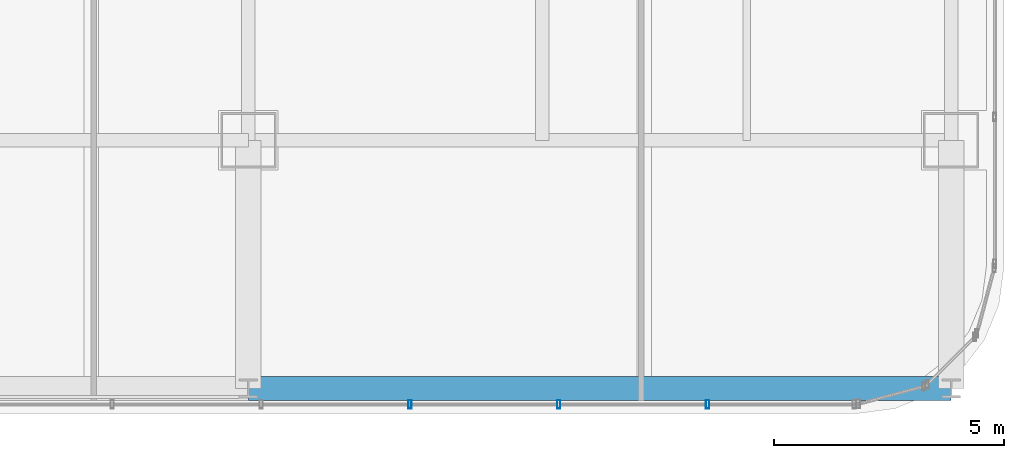
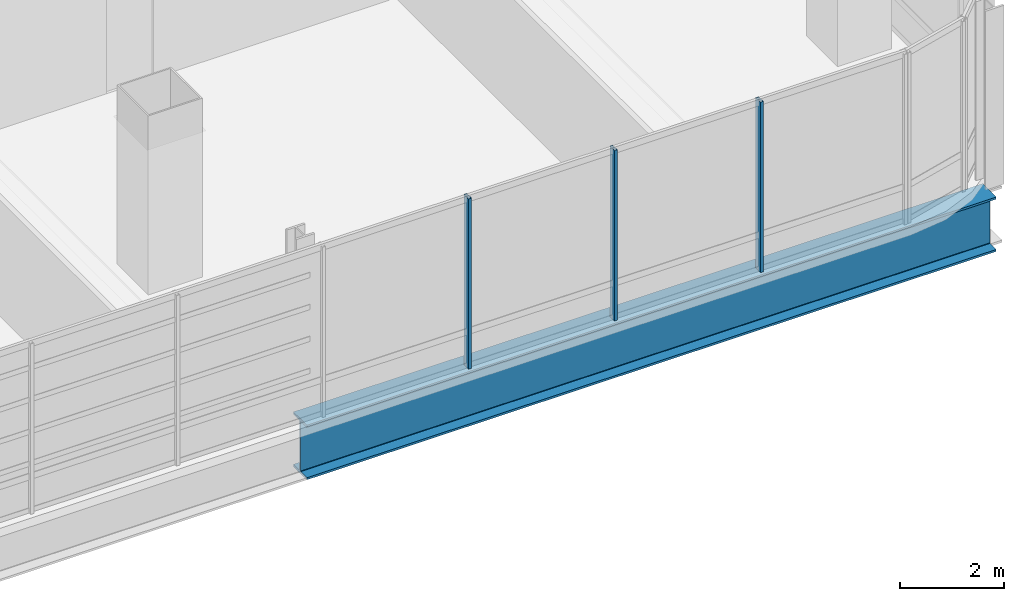
# One storey, part 16 of 43: 3 members, 1 beam, 1 element without a shape of its own.
"""IFC4 building model written with IfcOpenShell, lengths in metres."""

from ifc_helpers import new_model, si_unit, direction, frame, origin, origin_2d, place, context, subcontext, project, spatial, hollow_rectangle, i_section, extrude, material, material_profile, profile_set, type_object, element, aggregate, save


model = new_model("IFC4")

# Units and contexts
model_context = context("Model", 3, precision=1e-05, world=origin(), true_north=direction((0.0, 1.0)))
body_context = subcontext(model_context, "Body", "Model", "MODEL_VIEW")
ifc_project = project(units=[si_unit("LENGTHUNIT", "METRE"), si_unit("AREAUNIT", "SQUARE_METRE"), si_unit("VOLUMEUNIT", "CUBIC_METRE"), si_unit("PLANEANGLEUNIT", "RADIAN"), si_unit("MASSUNIT", "GRAM", prefix="KILO")], contexts=[model_context])

# Site, building, storey
site_placement = place(None, origin())
site = spatial("IfcSite", under=ifc_project, at=site_placement, CompositionType="ELEMENT")
building_placement = place(site_placement, origin())
building = spatial("IfcBuilding", under=site, at=building_placement, Name="Punatoya Terracotta Tower", CompositionType="ELEMENT")
storey_placement = place(building_placement, frame((0.0, 0.0, 321.60009765625)))
storey = spatial("IfcBuildingStorey", under=building, at=storey_placement, Name="L76", CompositionType="ELEMENT", Elevation=321.60009765625)

# Beam
ifc_material_1 = material(Name="Steel S460", Category="steel")
ifc_material_profile_1 = material_profile(ifc_material_1, i_section(OverallWidth=0.52001953125, OverallDepth=1.280029296875, WebThickness=0.031982421875, FlangeThickness=0.050048828125, FilletRadius=0.01806640625, at=origin_2d()))
ifc_profile_set_1 = profile_set([ifc_material_profile_1], Name="Steel S460")
beam_type = type_object("IfcBeamType", Name="BM-TG-NCK", PredefinedType="BEAM", material=ifc_profile_set_1)
beam_placement = place(storey_placement, frame((3.800048828125, -22.89990234375, -0.840087890625), z_axis=(1.0, 0.0, 0.0), x_axis=(0.0, 1.0, 0.0)))
element("IfcBeam", 1, at=beam_placement, inside=storey, type_object=beam_type, Name="BM-L76-PER-S3", PredefinedType="BEAM", context=body_context, shape_type="SweptSolid", body=[
    extrude(i_section(OverallWidth=0.52001953125, OverallDepth=1.280029296875, WebThickness=0.031982421875, FlangeThickness=0.050048828125, FilletRadius=0.01806640625, at=origin_2d()), origin(), (0.0, 0.0, 1.0), 15.300048828125),
])

# Curtain wall, members
ifc_material_2 = material(Name="Aluminium 6063-T6 + Double Low-E Glass", Category="aluminium")
curtain_wall_type = type_object("IfcCurtainWallType", Name="CW-OBS", PredefinedType="NOTDEFINED", material=ifc_material_2)
curtain_wall_placement = place(storey_placement, origin())
curtain_wall = element("IfcCurtainWall", 2, at=curtain_wall_placement, inside=storey, type_object=curtain_wall_type, Name="L76 Curtain Wall CW-L76-S01-1", PredefinedType="NOTDEFINED")
ifc_material_3 = material(Name="Aluminium 6063-T6", Category="aluminium")
ifc_material_profile_2 = material_profile(ifc_material_3, hollow_rectangle(XDim=0.070068359375, YDim=0.179931640625, WallThickness=0.00390625, at=origin_2d()))
ifc_profile_set_2 = profile_set([ifc_material_profile_2], Name="Aluminium 6063-T6")
member_type = type_object("IfcMemberType", Name="CW-MUL-M3", PredefinedType="MULLION", material=ifc_profile_set_2)
member_1_placement = place(storey_placement, frame((7.318359375, -23.25, 0.0), z_axis=(0.0, 0.0, 1.0), x_axis=(1.0, 0.0, 0.0)))
member_1 = element("IfcMember", 3, at=member_1_placement, type_object=member_type, Name="CW-L76-S01-1 Mullion 09", PredefinedType="MULLION", context=body_context, shape_type="SweptSolid", body=[
    extrude(hollow_rectangle(XDim=0.070068359375, YDim=0.179931640625, WallThickness=0.00390625, at=origin_2d()), origin(), (0.0, 0.0, 1.0), 4.0),
])
member_2_placement = place(storey_placement, frame((10.557861328125, -23.25, 0.0), z_axis=(0.0, 0.0, 1.0), x_axis=(1.0, 0.0, 0.0)))
member_2 = element("IfcMember", 4, at=member_2_placement, type_object=member_type, Name="CW-L76-S01-1 Mullion 10", PredefinedType="MULLION", context=body_context, shape_type="SweptSolid", body=[
    extrude(hollow_rectangle(XDim=0.070068359375, YDim=0.179931640625, WallThickness=0.00390625, at=origin_2d()), origin(), (0.0, 0.0, 1.0), 4.0),
])
member_3_placement = place(storey_placement, frame((13.79736328125, -23.25, 0.0), z_axis=(0.0, 0.0, 1.0), x_axis=(1.0, 0.0, 0.0)))
member_3 = element("IfcMember", 5, at=member_3_placement, type_object=member_type, Name="CW-L76-S01-1 Mullion 11", PredefinedType="MULLION", context=body_context, shape_type="SweptSolid", body=[
    extrude(hollow_rectangle(XDim=0.070068359375, YDim=0.179931640625, WallThickness=0.00390625, at=origin_2d()), origin(), (0.0, 0.0, 1.0), 4.0),
])
aggregate(curtain_wall, [member_1, member_2, member_3])

save(model, "model.ifc")
